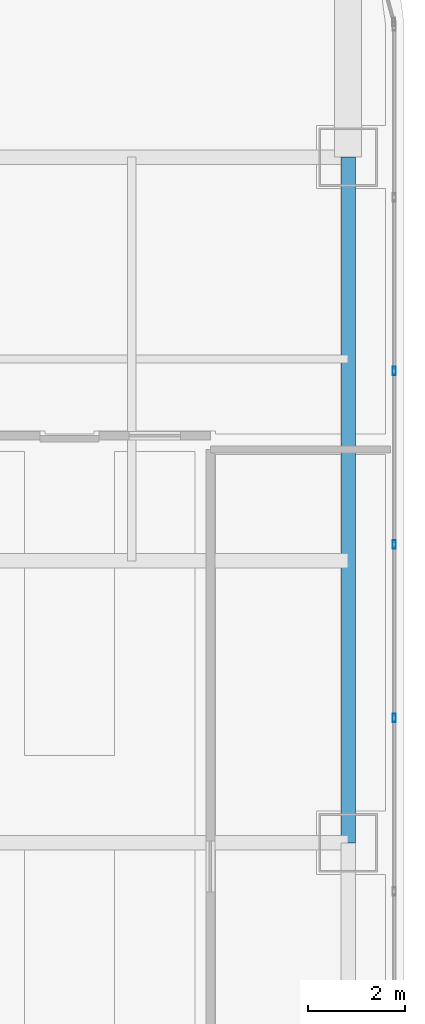
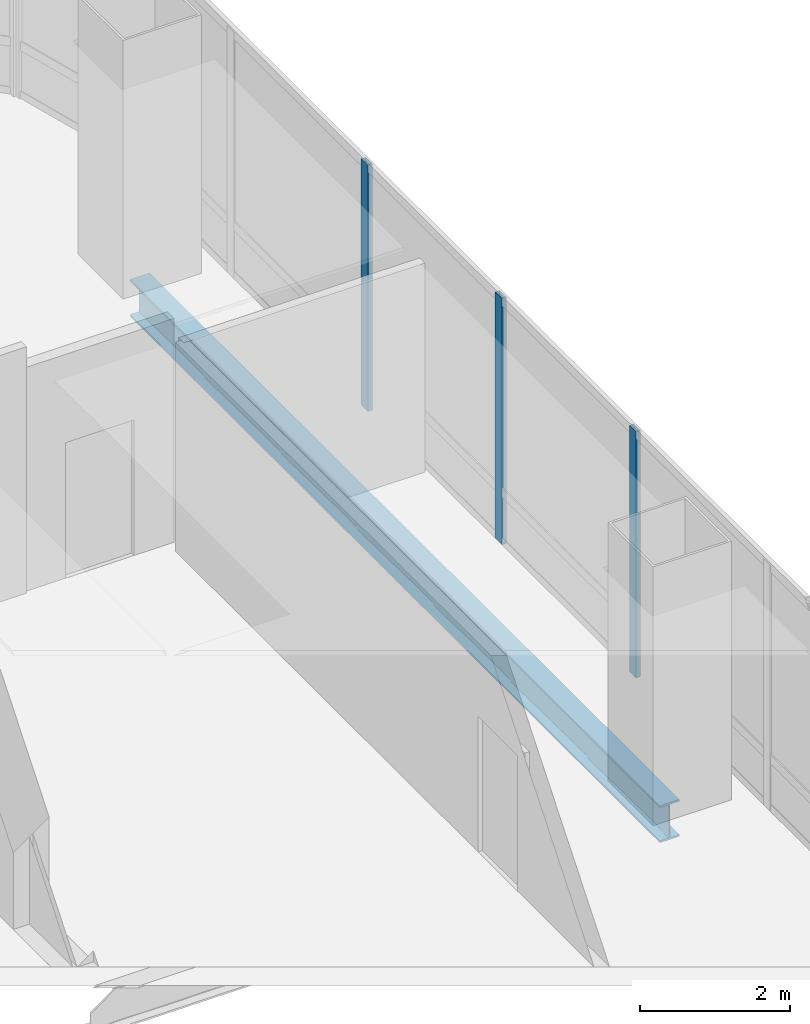
# One storey, part 20 of 41: 3 members, 1 beam, 1 element without a shape of its own.
"""IFC4 building model written with IfcOpenShell, lengths in metres."""

from ifc_helpers import new_model, si_unit, direction, frame, origin, origin_2d, place, context, subcontext, project, spatial, hollow_rectangle, i_section, extrude, material, material_profile, profile_set, type_object, element, aggregate, save


model = new_model("IFC4")

# Units and contexts
model_context = context("Model", 3, precision=1e-05, world=origin(), true_north=direction((0.0, 1.0)))
body_context = subcontext(model_context, "Body", "Model", "MODEL_VIEW")
ifc_project = project(units=[si_unit("LENGTHUNIT", "METRE"), si_unit("AREAUNIT", "SQUARE_METRE"), si_unit("VOLUMEUNIT", "CUBIC_METRE"), si_unit("PLANEANGLEUNIT", "RADIAN"), si_unit("MASSUNIT", "GRAM", prefix="KILO")], contexts=[model_context])

# Site, building, storey
site_placement = place(None, origin())
site = spatial("IfcSite", under=ifc_project, at=site_placement, CompositionType="ELEMENT")
building_placement = place(site_placement, origin())
building = spatial("IfcBuilding", under=site, at=building_placement, Name="Punatoya Terracotta Tower", CompositionType="ELEMENT")
storey_placement = place(building_placement, frame((0.0, 0.0, 309.0)))
storey = spatial("IfcBuildingStorey", under=building, at=storey_placement, Name="L73", CompositionType="ELEMENT", Elevation=309.0)

# Beam
ifc_material_1 = material(Name="Steel S355", Category="steel")
ifc_material_profile_1 = material_profile(ifc_material_1, i_section(OverallWidth=0.300048828125, OverallDepth=0.60009765625, WebThickness=0.015380859375, FlangeThickness=0.030029296875, FilletRadius=0.01806640625, at=origin_2d()))
ifc_profile_set_1 = profile_set([ifc_material_profile_1], Name="Steel S355")
beam_type = type_object("IfcBeamType", Name="BM-PRI-600", PredefinedType="BEAM", material=ifc_profile_set_1)
beam_placement = place(storey_placement, frame((19.10009765625, 3.39990234375, -0.5), z_axis=(0.0, 1.0, 0.0), x_axis=(-1.0, 0.0, 0.0)))
element("IfcBeam", 1, at=beam_placement, inside=storey, type_object=beam_type, Name="BM-L73-RG-E3", PredefinedType="BEAM", context=body_context, shape_type="SweptSolid", body=[
    extrude(i_section(OverallWidth=0.300048828125, OverallDepth=0.60009765625, WebThickness=0.015380859375, FlangeThickness=0.030029296875, FilletRadius=0.01806640625, at=origin_2d()), origin(), (0.0, 0.0, 1.0), 14.10009765625),
])

# Curtain wall, members
ifc_material_2 = material(Name="Aluminium 6063-T6 + Double Low-E Glass", Category="aluminium")
curtain_wall_type = type_object("IfcCurtainWallType", Name="CW-M3", PredefinedType="NOTDEFINED", material=ifc_material_2)
curtain_wall_placement = place(storey_placement, origin())
curtain_wall = element("IfcCurtainWall", 2, at=curtain_wall_placement, inside=storey, type_object=curtain_wall_type, Name="L73 Curtain Wall CW-L73-E05-1", PredefinedType="NOTDEFINED")
ifc_material_3 = material(Name="Aluminium 6063-T6", Category="aluminium")
ifc_material_profile_2 = material_profile(ifc_material_3, hollow_rectangle(XDim=0.070068359375, YDim=0.179931640625, WallThickness=0.00390625, at=origin_2d()))
ifc_profile_set_2 = profile_set([ifc_material_profile_2], Name="Aluminium 6063-T6")
member_type = type_object("IfcMemberType", Name="CW-MUL-M3", PredefinedType="MULLION", material=ifc_profile_set_2)
member_1_placement = place(storey_placement, frame((20.050048828125, 5.96728515625, 0.0), z_axis=(0.0, 0.0, 1.0), x_axis=(1.0, 0.0, 0.0)))
member_1 = element("IfcMember", 3, at=member_1_placement, type_object=member_type, Name="CW-L73-E05-1 Mullion 06", PredefinedType="MULLION", context=body_context, shape_type="SweptSolid", body=[
    extrude(hollow_rectangle(XDim=0.070068359375, YDim=0.179931640625, WallThickness=0.00390625, at=origin_2d()), origin(), (0.0, 0.0, 1.0), 4.0),
])
member_2_placement = place(storey_placement, frame((20.050048828125, 9.534912109375, 0.0), z_axis=(0.0, 0.0, 1.0), x_axis=(1.0, 0.0, 0.0)))
member_2 = element("IfcMember", 4, at=member_2_placement, type_object=member_type, Name="CW-L73-E05-1 Mullion 07", PredefinedType="MULLION", context=body_context, shape_type="SweptSolid", body=[
    extrude(hollow_rectangle(XDim=0.070068359375, YDim=0.179931640625, WallThickness=0.00390625, at=origin_2d()), origin(), (0.0, 0.0, 1.0), 4.0),
])
member_3_placement = place(storey_placement, frame((20.050048828125, 13.10205078125, 0.0), z_axis=(0.0, 0.0, 1.0), x_axis=(1.0, 0.0, 0.0)))
member_3 = element("IfcMember", 5, at=member_3_placement, type_object=member_type, Name="CW-L73-E05-1 Mullion 08", PredefinedType="MULLION", context=body_context, shape_type="SweptSolid", body=[
    extrude(hollow_rectangle(XDim=0.070068359375, YDim=0.179931640625, WallThickness=0.00390625, at=origin_2d()), origin(), (0.0, 0.0, 1.0), 4.0),
])
aggregate(curtain_wall, [member_1, member_2, member_3])

save(model, "model.ifc")
